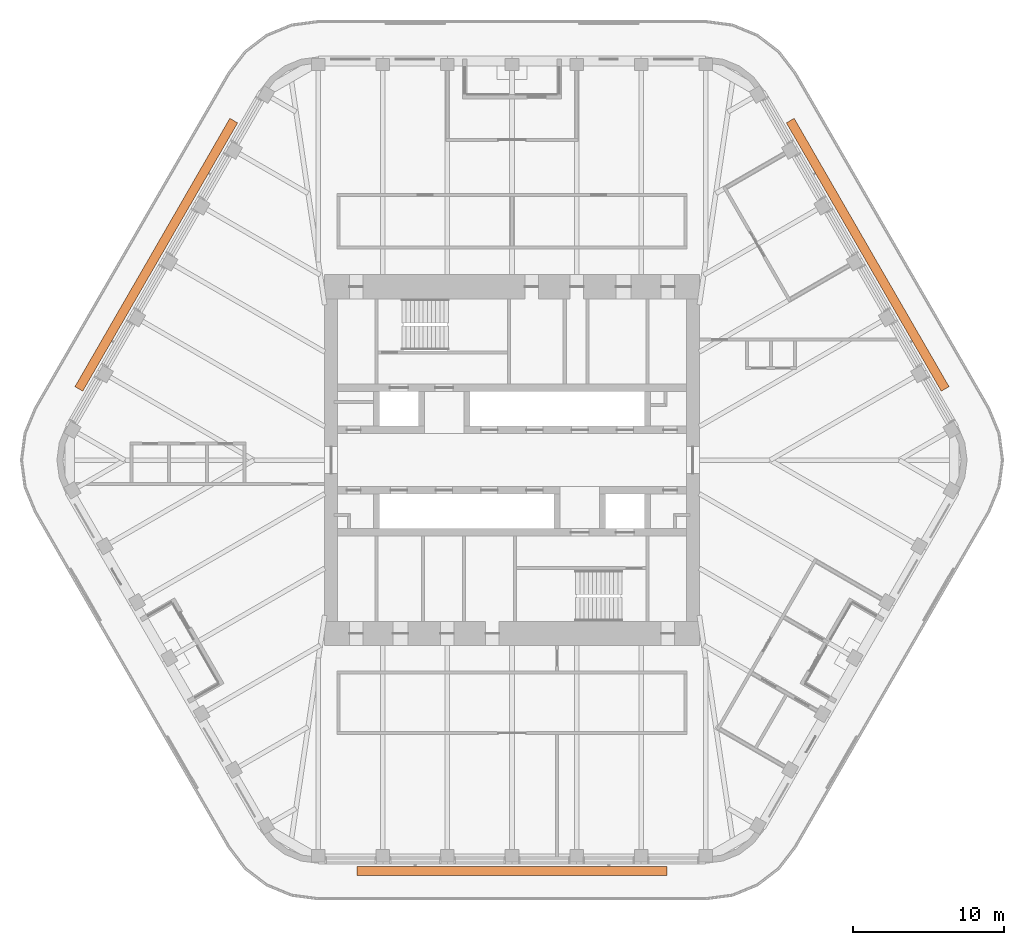
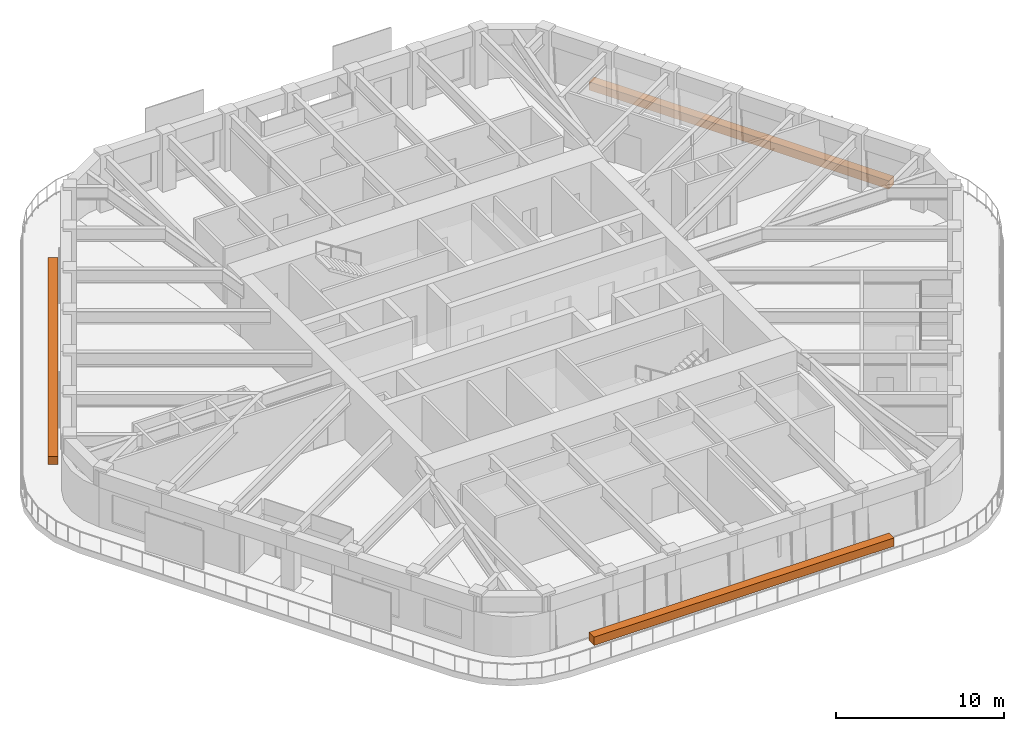
# One storey, part 19 of 19: 3 proxies.
"""IFC4 building model written with IfcOpenShell, lengths in metres."""

from ifc_helpers import new_model, si_unit, direction, frame, origin, origin_2d, place, context, subcontext, project, spatial, rectangle, extrude, material, element, save


model = new_model("IFC4")

# Units and contexts
model_context = context("Model", 3, precision=1e-05, world=origin(), true_north=direction((0.0, 1.0)))
body_context = subcontext(model_context, "Body", "Model", "MODEL_VIEW")
ifc_project = project(units=[si_unit("LENGTHUNIT", "METRE"), si_unit("AREAUNIT", "SQUARE_METRE"), si_unit("VOLUMEUNIT", "CUBIC_METRE"), si_unit("PLANEANGLEUNIT", "RADIAN"), si_unit("MASSUNIT", "GRAM", prefix="KILO")], contexts=[model_context])

# Site, building, storey
site_placement = place(None, origin())
site = spatial("IfcSite", under=ifc_project, at=site_placement, CompositionType="ELEMENT")
building_placement = place(site_placement, origin())
building = spatial("IfcBuilding", under=site, at=building_placement, Name="Tarfa Lantern Tower", CompositionType="ELEMENT")
storey_placement = place(building_placement, frame((0.0, 0.0, 361.89990234375)))
storey = spatial("IfcBuildingStorey", under=building, at=storey_placement, Name="L82", CompositionType="ELEMENT", Elevation=361.89990234375)

# Proxies
ifc_material = material(Name="Planting bed")
for number, where, z_axis, x_axis, name in (
    (1, (23.59912109375, 13.625, 0.0), (0.0, 0.0, 1.0), (-0.5, 0.866025403784, 0.0), "Balcony planter"),
    (2, (-23.59912109375, 13.625, 0.0), (0.0, 0.0, 1.0), (-0.5, -0.866025403784, 0.0), "Balcony planter"),
    (3, (0.0, -27.25, 0.0), (0.0, 0.0, 1.0), (1.0, 0.0, 0.0), "Balcony planter"),
):
    element("IfcBuildingElementProxy", number, at=place(storey_placement, frame(where, z_axis=z_axis, x_axis=x_axis)), inside=storey, material=ifc_material, Name=name, ObjectType="PLANTER", PredefinedType="USERDEFINED", context=body_context, shape_type="SweptSolid", body=[
        extrude(rectangle(XDim=20.5537109375, YDim=0.60009765625, at=origin_2d()), origin(), (0.0, 0.0, 1.0), 0.60009765625),
    ])

save(model, "model.ifc")
